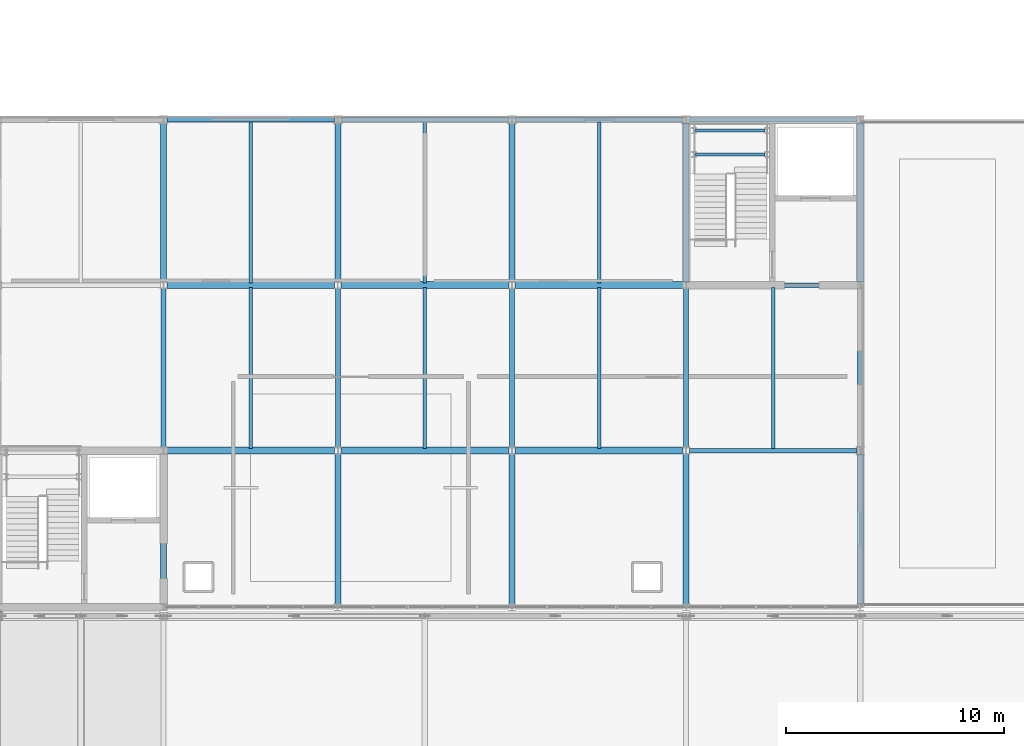
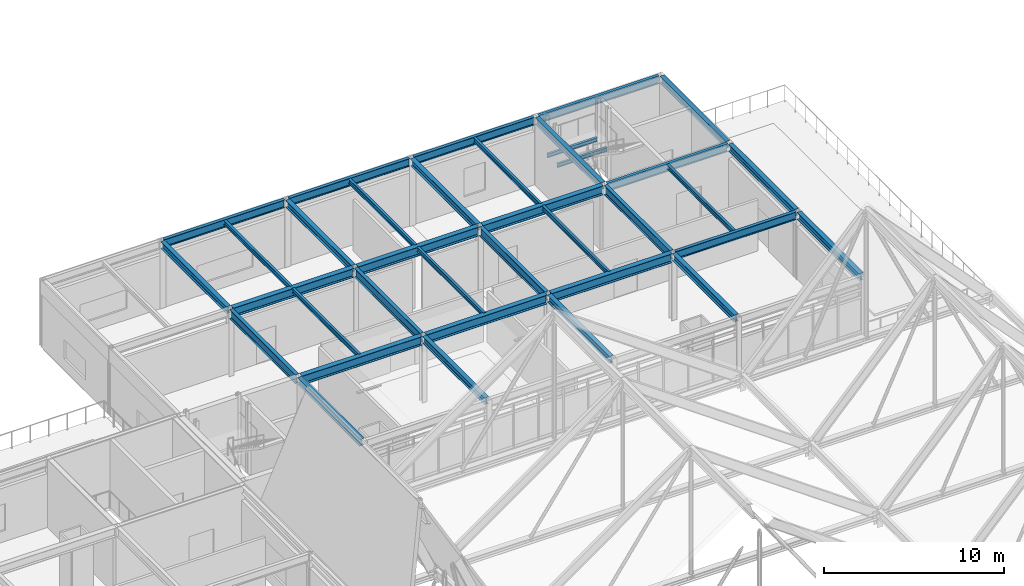
# One storey, part 62 of 100: 36 beams.
"""IFC4 building model written with IfcOpenShell, lengths in metres."""

from ifc_helpers import new_model, si_unit, direction, frame, origin, origin_2d, place, context, subcontext, project, spatial, i_section, extrude, material, material_profile, profile_set, type_object, element, save


model = new_model("IFC4")

# Units and contexts
model_context = context("Model", 3, precision=1e-05, world=origin(), true_north=direction((0.0, 1.0)))
body_context = subcontext(model_context, "Body", "Model", "MODEL_VIEW")
ifc_project = project(units=[si_unit("LENGTHUNIT", "METRE"), si_unit("AREAUNIT", "SQUARE_METRE"), si_unit("VOLUMEUNIT", "CUBIC_METRE"), si_unit("PLANEANGLEUNIT", "RADIAN"), si_unit("MASSUNIT", "GRAM", prefix="KILO")], contexts=[model_context])

# Site, building, storey
site_placement = place(None, origin())
site = spatial("IfcSite", under=ifc_project, at=site_placement, CompositionType="ELEMENT")
building_placement = place(site_placement, origin())
building = spatial("IfcBuilding", under=site, at=building_placement, Name="Zulena Civic Courthouse", CompositionType="ELEMENT")
storey_placement = place(building_placement, frame((0.0, 0.0, 20.39990234375)))
storey = spatial("IfcBuildingStorey", under=building, at=storey_placement, Name="L04", CompositionType="ELEMENT", Elevation=20.39990234375)

# Beams
ifc_material = material(Name="Steel ASTM A992 Grade 50", Category="steel")
ifc_material_profile_1 = material_profile(ifc_material, i_section(OverallWidth=0.324951171875, OverallDepth=0.615966796875, WebThickness=0.013916015625, FlangeThickness=0.021484375, FilletRadius=0.0126953125, at=origin_2d()), Name="W24X117")
ifc_profile_set_1 = profile_set([ifc_material_profile_1], Name="Steel ASTM A992 Grade 50")
beam_type_1 = type_object("IfcBeamType", Name="Girder_W24X117", PredefinedType="BEAM", material=ifc_profile_set_1)
for number, where, z_axis, x_axis, name in (
    (1, (132.14501953125, 38.0, 4.237060546875), (1.0, 0.0, 0.0), (0.0, 1.0, 0.0), "beam:X:V3:L04:38.0:132.0_140.0"),
    (2, (140.14501953125, 38.0, 4.237060546875), (1.0, 0.0, 0.0), (0.0, 1.0, 0.0), "beam:X:V3:L04:38.0:140.0_148.0"),
    (3, (148.14501953125, 38.0, 4.237060546875), (1.0, 0.0, 0.0), (0.0, 1.0, 0.0), "beam:X:V3:L04:38.0:148.0_156.0"),
    (4, (132.14501953125, 45.60009765625, 4.237060546875), (1.0, 0.0, 0.0), (0.0, 1.0, 0.0), "beam:X:V3:L04:45.6:132.0_140.0"),
    (5, (140.14501953125, 45.60009765625, 4.237060546875), (1.0, 0.0, 0.0), (0.0, 1.0, 0.0), "beam:X:V3:L04:45.6:140.0_148.0"),
    (6, (148.14501953125, 45.60009765625, 4.237060546875), (1.0, 0.0, 0.0), (0.0, 1.0, 0.0), "beam:X:V3:L04:45.6:148.0_156.0"),
):
    element("IfcBeam", number, at=place(storey_placement, frame(where, z_axis=z_axis, x_axis=x_axis)), inside=storey, type_object=beam_type_1, Name=name, PredefinedType="BEAM", context=body_context, shape_type="SweptSolid", body=[
        extrude(i_section(OverallWidth=0.324951171875, OverallDepth=0.615966796875, WebThickness=0.013916015625, FlangeThickness=0.021484375, FilletRadius=0.0126953125, at=origin_2d()), origin(), (0.0, 0.0, 1.0), 7.7099609375),
    ])
ifc_material_profile_2 = material_profile(ifc_material, i_section(OverallWidth=0.22998046875, OverallDepth=0.616943359375, WebThickness=0.01318359375, FlangeThickness=0.022216796875, FilletRadius=0.0126953125, at=origin_2d()), Name="W24X94")
ifc_profile_set_2 = profile_set([ifc_material_profile_2], Name="Steel ASTM A992 Grade 50")
beam_type_2 = type_object("IfcBeamType", Name="Girder_W24X94", PredefinedType="BEAM", material=ifc_profile_set_2)
for number, where, z_axis, x_axis, name in (
    (7, (132.0, 38.14501953125, 4.236572265625), (0.0, 1.0, 0.0), (-1.0, 0.0, 0.0), "beam:Y:V3:L04:132.0:38.0_45.6"),
    (8, (140.0, 38.14501953125, 4.236572265625), (0.0, 1.0, 0.0), (-1.0, 0.0, 0.0), "beam:Y:V3:L04:140.0:38.0_45.6"),
    (9, (148.0, 38.14501953125, 4.236572265625), (0.0, 1.0, 0.0), (-1.0, 0.0, 0.0), "beam:Y:V3:L04:148.0:38.0_45.6"),
    (10, (156.0, 38.14501953125, 4.236572265625), (0.0, 1.0, 0.0), (-1.0, 0.0, 0.0), "beam:Y:V3:L04:156.0:38.0_45.6"),
):
    element("IfcBeam", number, at=place(storey_placement, frame(where, z_axis=z_axis, x_axis=x_axis)), inside=storey, type_object=beam_type_2, Name=name, PredefinedType="BEAM", context=body_context, shape_type="SweptSolid", body=[
        extrude(i_section(OverallWidth=0.22998046875, OverallDepth=0.616943359375, WebThickness=0.01318359375, FlangeThickness=0.022216796875, FilletRadius=0.0126953125, at=origin_2d()), origin(), (0.0, 0.0, 1.0), 7.31005859375),
    ])
ifc_material_profile_3 = material_profile(ifc_material, i_section(OverallWidth=0.14599609375, OverallDepth=0.258056640625, WebThickness=0.006103515625, FlangeThickness=0.009033203125, FilletRadius=0.007568359375, at=origin_2d()), Name="W10X22")
ifc_profile_set_3 = profile_set([ifc_material_profile_3], Name="Steel ASTM A992 Grade 50")
beam_type_3 = type_object("IfcBeamType", Name="Joist_W10X22", PredefinedType="JOIST", material=ifc_profile_set_3)
for number, where, z_axis, x_axis, name in (
    (11, (156.419921875, 51.60009765625, 1.9912109375), (1.0, 0.0, 0.0), (0.0, 1.0, 0.0), "beam:lnd:K3B:L04:0"),
    (12, (156.419921875, 52.699951171875, 1.9912109375), (1.0, 0.0, 0.0), (0.0, 1.0, 0.0), "beam:lnd:K3B:L04:1"),
):
    element("IfcBeam", number, at=place(storey_placement, frame(where, z_axis=z_axis, x_axis=x_axis)), inside=storey, type_object=beam_type_3, Name=name, PredefinedType="JOIST", context=body_context, shape_type="SweptSolid", body=[
        extrude(i_section(OverallWidth=0.14599609375, OverallDepth=0.258056640625, WebThickness=0.006103515625, FlangeThickness=0.009033203125, FilletRadius=0.007568359375, at=origin_2d()), origin(), (0.0, 0.0, 1.0), 3.2001953125),
    ])
ifc_material_profile_4 = material_profile(ifc_material, i_section(OverallWidth=0.1650390625, OverallDepth=0.31005859375, WebThickness=0.005859375, FlangeThickness=0.009765625, FilletRadius=0.009765625, at=origin_2d()), Name="W12X26")
ifc_profile_set_4 = profile_set([ifc_material_profile_4], Name="Steel ASTM A992 Grade 50")
beam_type_4 = type_object("IfcBeamType", Name="Joist_W12X26", PredefinedType="JOIST", material=ifc_profile_set_4)
beam_1_placement = place(storey_placement, frame((136.0, 38.10498046875, 4.39013671875), z_axis=(0.0, 1.0, 0.0), x_axis=(-1.0, 0.0, 0.0)))
element("IfcBeam", 13, at=beam_1_placement, inside=storey, type_object=beam_type_4, Name="joist:V3:L04:136.00:38.0_45.6", PredefinedType="JOIST", context=body_context, shape_type="SweptSolid", body=[
    extrude(i_section(OverallWidth=0.1650390625, OverallDepth=0.31005859375, WebThickness=0.005859375, FlangeThickness=0.009765625, FilletRadius=0.009765625, at=origin_2d()), origin(), (0.0, 0.0, 1.0), 7.39013671875),
])
beam_2_placement = place(storey_placement, frame((136.0, 45.705078125, 4.39013671875), z_axis=(0.0, 1.0, 0.0), x_axis=(-1.0, 0.0, 0.0)))
element("IfcBeam", 14, at=beam_2_placement, inside=storey, type_object=beam_type_4, Name="joist:V3:L04:136.00:45.6_53.2", PredefinedType="JOIST", context=body_context, shape_type="SweptSolid", body=[
    extrude(i_section(OverallWidth=0.1650390625, OverallDepth=0.31005859375, WebThickness=0.005859375, FlangeThickness=0.009765625, FilletRadius=0.009765625, at=origin_2d()), origin(), (0.0, 0.0, 1.0), 7.389892578125),
])
beam_3_placement = place(storey_placement, frame((144.0, 38.10498046875, 4.39013671875), z_axis=(0.0, 1.0, 0.0), x_axis=(-1.0, 0.0, 0.0)))
element("IfcBeam", 15, at=beam_3_placement, inside=storey, type_object=beam_type_4, Name="joist:V3:L04:144.00:38.0_45.6", PredefinedType="JOIST", context=body_context, shape_type="SweptSolid", body=[
    extrude(i_section(OverallWidth=0.1650390625, OverallDepth=0.31005859375, WebThickness=0.005859375, FlangeThickness=0.009765625, FilletRadius=0.009765625, at=origin_2d()), origin(), (0.0, 0.0, 1.0), 7.39013671875),
])
beam_4_placement = place(storey_placement, frame((144.0, 45.705078125, 4.39013671875), z_axis=(0.0, 1.0, 0.0), x_axis=(-1.0, 0.0, 0.0)))
element("IfcBeam", 16, at=beam_4_placement, inside=storey, type_object=beam_type_4, Name="joist:V3:L04:144.00:45.6_53.2", PredefinedType="JOIST", context=body_context, shape_type="SweptSolid", body=[
    extrude(i_section(OverallWidth=0.1650390625, OverallDepth=0.31005859375, WebThickness=0.005859375, FlangeThickness=0.009765625, FilletRadius=0.009765625, at=origin_2d()), origin(), (0.0, 0.0, 1.0), 7.389892578125),
])
beam_5_placement = place(storey_placement, frame((152.0, 38.10498046875, 4.39013671875), z_axis=(0.0, 1.0, 0.0), x_axis=(-1.0, 0.0, 0.0)))
element("IfcBeam", 17, at=beam_5_placement, inside=storey, type_object=beam_type_4, Name="joist:V3:L04:152.00:38.0_45.6", PredefinedType="JOIST", context=body_context, shape_type="SweptSolid", body=[
    extrude(i_section(OverallWidth=0.1650390625, OverallDepth=0.31005859375, WebThickness=0.005859375, FlangeThickness=0.009765625, FilletRadius=0.009765625, at=origin_2d()), origin(), (0.0, 0.0, 1.0), 7.39013671875),
])
beam_6_placement = place(storey_placement, frame((152.0, 45.705078125, 4.39013671875), z_axis=(0.0, 1.0, 0.0), x_axis=(-1.0, 0.0, 0.0)))
element("IfcBeam", 18, at=beam_6_placement, inside=storey, type_object=beam_type_4, Name="joist:V3:L04:152.00:45.6_53.2", PredefinedType="JOIST", context=body_context, shape_type="SweptSolid", body=[
    extrude(i_section(OverallWidth=0.1650390625, OverallDepth=0.31005859375, WebThickness=0.005859375, FlangeThickness=0.009765625, FilletRadius=0.009765625, at=origin_2d()), origin(), (0.0, 0.0, 1.0), 7.389892578125),
])
beam_7_placement = place(storey_placement, frame((160.0, 38.10498046875, 4.39013671875), z_axis=(0.0, 1.0, 0.0), x_axis=(-1.0, 0.0, 0.0)))
element("IfcBeam", 19, at=beam_7_placement, inside=storey, type_object=beam_type_4, Name="joist:V3:L04:160.00:38.0_45.6", PredefinedType="JOIST", context=body_context, shape_type="SweptSolid", body=[
    extrude(i_section(OverallWidth=0.1650390625, OverallDepth=0.31005859375, WebThickness=0.005859375, FlangeThickness=0.009765625, FilletRadius=0.009765625, at=origin_2d()), origin(), (0.0, 0.0, 1.0), 7.39013671875),
])
ifc_material_profile_5 = material_profile(ifc_material, i_section(OverallWidth=0.280029296875, OverallDepth=0.462890625, WebThickness=0.0107421875, FlangeThickness=0.017333984375, FilletRadius=0.01025390625, at=origin_2d()), Name="W18X76")
ifc_profile_set_5 = profile_set([ifc_material_profile_5], Name="Steel ASTM A992 Grade 50")
beam_type_5 = type_object("IfcBeamType", Name="Spandrel_W18X76", PredefinedType="SPANDREL", material=ifc_profile_set_5)
beam_8_placement = place(storey_placement, frame((132.0, 30.945068359375, 4.3134765625), z_axis=(0.0, 1.0, 0.0), x_axis=(-1.0, 0.0, 0.0)))
element("IfcBeam", 20, at=beam_8_placement, inside=storey, type_object=beam_type_5, Name="beam:Y:V3:L04:132.0:30.8_38.0", PredefinedType="SPANDREL", context=body_context, shape_type="SweptSolid", body=[
    extrude(i_section(OverallWidth=0.280029296875, OverallDepth=0.462890625, WebThickness=0.0107421875, FlangeThickness=0.017333984375, FilletRadius=0.01025390625, at=origin_2d()), origin(), (0.0, 0.0, 1.0), 6.909912109375),
])
beam_9_placement = place(storey_placement, frame((132.0, 45.7451171875, 4.3134765625), z_axis=(0.0, 1.0, 0.0), x_axis=(-1.0, 0.0, 0.0)))
element("IfcBeam", 21, at=beam_9_placement, inside=storey, type_object=beam_type_5, Name="beam:Y:V3:L04:132.0:45.6_53.2", PredefinedType="SPANDREL", context=body_context, shape_type="SweptSolid", body=[
    extrude(i_section(OverallWidth=0.280029296875, OverallDepth=0.462890625, WebThickness=0.0107421875, FlangeThickness=0.017333984375, FilletRadius=0.01025390625, at=origin_2d()), origin(), (0.0, 0.0, 1.0), 7.309814453125),
])
beam_10_placement = place(storey_placement, frame((140.0, 30.945068359375, 4.3134765625), z_axis=(0.0, 1.0, 0.0), x_axis=(-1.0, 0.0, 0.0)))
element("IfcBeam", 22, at=beam_10_placement, inside=storey, type_object=beam_type_5, Name="beam:Y:V3:L04:140.0:30.8_38.0", PredefinedType="SPANDREL", context=body_context, shape_type="SweptSolid", body=[
    extrude(i_section(OverallWidth=0.280029296875, OverallDepth=0.462890625, WebThickness=0.0107421875, FlangeThickness=0.017333984375, FilletRadius=0.01025390625, at=origin_2d()), origin(), (0.0, 0.0, 1.0), 6.909912109375),
])
beam_11_placement = place(storey_placement, frame((140.0, 45.7451171875, 4.3134765625), z_axis=(0.0, 1.0, 0.0), x_axis=(-1.0, 0.0, 0.0)))
element("IfcBeam", 23, at=beam_11_placement, inside=storey, type_object=beam_type_5, Name="beam:Y:V3:L04:140.0:45.6_53.2", PredefinedType="SPANDREL", context=body_context, shape_type="SweptSolid", body=[
    extrude(i_section(OverallWidth=0.280029296875, OverallDepth=0.462890625, WebThickness=0.0107421875, FlangeThickness=0.017333984375, FilletRadius=0.01025390625, at=origin_2d()), origin(), (0.0, 0.0, 1.0), 7.309814453125),
])
beam_12_placement = place(storey_placement, frame((148.0, 30.945068359375, 4.3134765625), z_axis=(0.0, 1.0, 0.0), x_axis=(-1.0, 0.0, 0.0)))
element("IfcBeam", 24, at=beam_12_placement, inside=storey, type_object=beam_type_5, Name="beam:Y:V3:L04:148.0:30.8_38.0", PredefinedType="SPANDREL", context=body_context, shape_type="SweptSolid", body=[
    extrude(i_section(OverallWidth=0.280029296875, OverallDepth=0.462890625, WebThickness=0.0107421875, FlangeThickness=0.017333984375, FilletRadius=0.01025390625, at=origin_2d()), origin(), (0.0, 0.0, 1.0), 6.909912109375),
])
beam_13_placement = place(storey_placement, frame((148.0, 45.7451171875, 4.3134765625), z_axis=(0.0, 1.0, 0.0), x_axis=(-1.0, 0.0, 0.0)))
element("IfcBeam", 25, at=beam_13_placement, inside=storey, type_object=beam_type_5, Name="beam:Y:V3:L04:148.0:45.6_53.2", PredefinedType="SPANDREL", context=body_context, shape_type="SweptSolid", body=[
    extrude(i_section(OverallWidth=0.280029296875, OverallDepth=0.462890625, WebThickness=0.0107421875, FlangeThickness=0.017333984375, FilletRadius=0.01025390625, at=origin_2d()), origin(), (0.0, 0.0, 1.0), 7.309814453125),
])
beam_14_placement = place(storey_placement, frame((156.0, 30.945068359375, 4.3134765625), z_axis=(0.0, 1.0, 0.0), x_axis=(-1.0, 0.0, 0.0)))
element("IfcBeam", 26, at=beam_14_placement, inside=storey, type_object=beam_type_5, Name="beam:Y:V3:L04:156.0:30.8_38.0", PredefinedType="SPANDREL", context=body_context, shape_type="SweptSolid", body=[
    extrude(i_section(OverallWidth=0.280029296875, OverallDepth=0.462890625, WebThickness=0.0107421875, FlangeThickness=0.017333984375, FilletRadius=0.01025390625, at=origin_2d()), origin(), (0.0, 0.0, 1.0), 6.909912109375),
])
beam_15_placement = place(storey_placement, frame((156.0, 45.7451171875, 4.3134765625), z_axis=(0.0, 1.0, 0.0), x_axis=(-1.0, 0.0, 0.0)))
element("IfcBeam", 27, at=beam_15_placement, inside=storey, type_object=beam_type_5, Name="beam:Y:V3:L04:156.0:45.6_53.2", PredefinedType="SPANDREL", context=body_context, shape_type="SweptSolid", body=[
    extrude(i_section(OverallWidth=0.280029296875, OverallDepth=0.462890625, WebThickness=0.0107421875, FlangeThickness=0.017333984375, FilletRadius=0.01025390625, at=origin_2d()), origin(), (0.0, 0.0, 1.0), 7.309814453125),
])
beam_16_placement = place(storey_placement, frame((164.0, 30.945068359375, 4.3134765625), z_axis=(0.0, 1.0, 0.0), x_axis=(-1.0, 0.0, 0.0)))
element("IfcBeam", 28, at=beam_16_placement, inside=storey, type_object=beam_type_5, Name="beam:Y:V3:L04:164.0:30.8_38.0", PredefinedType="SPANDREL", context=body_context, shape_type="SweptSolid", body=[
    extrude(i_section(OverallWidth=0.280029296875, OverallDepth=0.462890625, WebThickness=0.0107421875, FlangeThickness=0.017333984375, FilletRadius=0.01025390625, at=origin_2d()), origin(), (0.0, 0.0, 1.0), 6.909912109375),
])
beam_17_placement = place(storey_placement, frame((164.0, 38.14501953125, 4.3134765625), z_axis=(0.0, 1.0, 0.0), x_axis=(-1.0, 0.0, 0.0)))
element("IfcBeam", 29, at=beam_17_placement, inside=storey, type_object=beam_type_5, Name="beam:Y:V3:L04:164.0:38.0_45.6", PredefinedType="SPANDREL", context=body_context, shape_type="SweptSolid", body=[
    extrude(i_section(OverallWidth=0.280029296875, OverallDepth=0.462890625, WebThickness=0.0107421875, FlangeThickness=0.017333984375, FilletRadius=0.01025390625, at=origin_2d()), origin(), (0.0, 0.0, 1.0), 7.31005859375),
])
beam_18_placement = place(storey_placement, frame((164.0, 45.7451171875, 4.3134765625), z_axis=(0.0, 1.0, 0.0), x_axis=(-1.0, 0.0, 0.0)))
element("IfcBeam", 30, at=beam_18_placement, inside=storey, type_object=beam_type_5, Name="beam:Y:V3:L04:164.0:45.6_53.2", PredefinedType="SPANDREL", context=body_context, shape_type="SweptSolid", body=[
    extrude(i_section(OverallWidth=0.280029296875, OverallDepth=0.462890625, WebThickness=0.0107421875, FlangeThickness=0.017333984375, FilletRadius=0.01025390625, at=origin_2d()), origin(), (0.0, 0.0, 1.0), 7.309814453125),
])
ifc_material_profile_6 = material_profile(ifc_material, i_section(OverallWidth=0.2099609375, OverallDepth=0.537109375, WebThickness=0.010986328125, FlangeThickness=0.017333984375, FilletRadius=0.0126953125, at=origin_2d()), Name="W21X68")
ifc_profile_set_6 = profile_set([ifc_material_profile_6], Name="Steel ASTM A992 Grade 50")
beam_type_6 = type_object("IfcBeamType", Name="Spandrel_W21X68", PredefinedType="SPANDREL", material=ifc_profile_set_6)
for number, where, z_axis, x_axis, name in (
    (31, (156.14501953125, 38.0, 4.276611328125), (1.0, 0.0, 0.0), (0.0, 1.0, 0.0), "beam:X:V3:L04:38.0:156.0_164.0"),
    (32, (156.14501953125, 45.60009765625, 4.276611328125), (1.0, 0.0, 0.0), (0.0, 1.0, 0.0), "beam:X:V3:L04:45.6:156.0_164.0"),
    (33, (132.14501953125, 53.199951171875, 4.276611328125), (1.0, 0.0, 0.0), (0.0, 1.0, 0.0), "beam:X:V3:L04:53.2:132.0_140.0"),
    (34, (140.14501953125, 53.199951171875, 4.276611328125), (1.0, 0.0, 0.0), (0.0, 1.0, 0.0), "beam:X:V3:L04:53.2:140.0_148.0"),
    (35, (148.14501953125, 53.199951171875, 4.276611328125), (1.0, 0.0, 0.0), (0.0, 1.0, 0.0), "beam:X:V3:L04:53.2:148.0_156.0"),
    (36, (156.14501953125, 53.199951171875, 4.276611328125), (1.0, 0.0, 0.0), (0.0, 1.0, 0.0), "beam:X:V3:L04:53.2:156.0_164.0"),
):
    element("IfcBeam", number, at=place(storey_placement, frame(where, z_axis=z_axis, x_axis=x_axis)), inside=storey, type_object=beam_type_6, Name=name, PredefinedType="SPANDREL", context=body_context, shape_type="SweptSolid", body=[
        extrude(i_section(OverallWidth=0.2099609375, OverallDepth=0.537109375, WebThickness=0.010986328125, FlangeThickness=0.017333984375, FilletRadius=0.0126953125, at=origin_2d()), origin(), (0.0, 0.0, 1.0), 7.7099609375),
    ])

save(model, "model.ifc")
